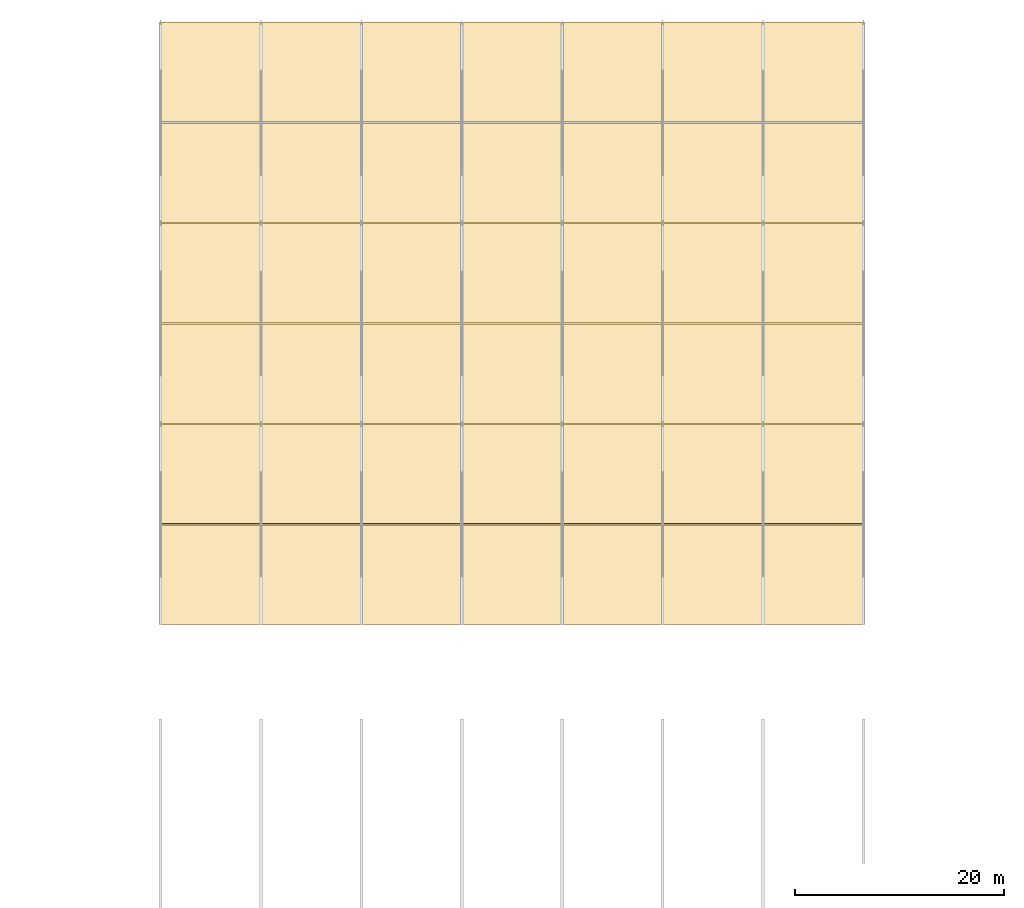
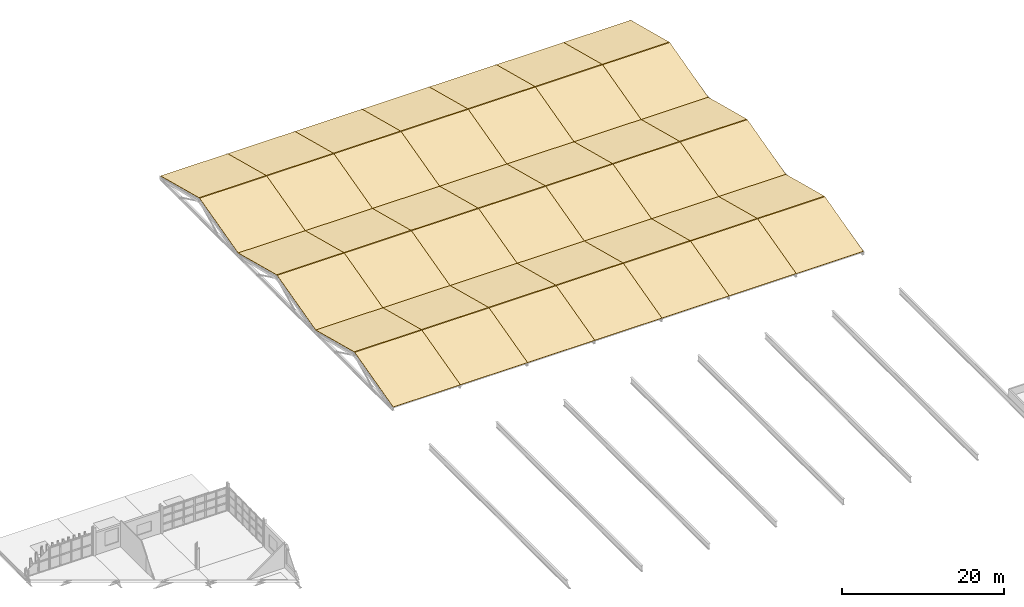
# One storey, part 52 of 52: 42 coverings, 1 element without a shape of its own.
"""IFC4 building model written with IfcOpenShell, lengths in metres."""

from ifc_helpers import new_model, si_unit, direction, frame, origin, place, context, subcontext, project, spatial, polyline, outline, extrude, material, layer, layer_set, type_object, element, aggregate, save


model = new_model("IFC4")

# Units and contexts
model_context = context("Model", 3, precision=1e-05, world=origin(), true_north=direction((0.0, 1.0)))
body_context = subcontext(model_context, "Body", "Model", "MODEL_VIEW")
ifc_project = project(units=[si_unit("LENGTHUNIT", "METRE"), si_unit("AREAUNIT", "SQUARE_METRE"), si_unit("VOLUMEUNIT", "CUBIC_METRE"), si_unit("PLANEANGLEUNIT", "RADIAN"), si_unit("MASSUNIT", "GRAM", prefix="KILO")], contexts=[model_context])

# Site, building, storey
site_placement = place(None, origin())
site = spatial("IfcSite", under=ifc_project, at=site_placement, CompositionType="ELEMENT")
building_placement = place(site_placement, origin())
building = spatial("IfcBuilding", under=site, at=building_placement, Name="Zarnetskaya Central Station", CompositionType="ELEMENT")
storey_placement = place(building_placement, frame((0.0, 0.0, 14.39990234375)))
storey = spatial("IfcBuildingStorey", under=building, at=storey_placement, Name="L03", CompositionType="ELEMENT", Elevation=14.39990234375)

# Roof, coverings
ifc_material_1 = material(Name="Steel S355", Category="steel")
roof_type = type_object("IfcRoofType", Name="RF-ASSY-SHED", PredefinedType="GABLE_ROOF", material=ifc_material_1)
roof_placement = place(storey_placement, origin())
roof = element("IfcRoof", 1, at=roof_placement, inside=storey, type_object=roof_type, Name="Train shed arched-gable throat roof", PredefinedType="GABLE_ROOF")
ifc_material_2 = material(Name="Standing-seam zinc roof cladding")
ifc_layer = layer(ifc_material_2, 0.06494140625, Name="Standing-seam zinc roof cladding")
ifc_layer_set = layer_set([ifc_layer], Name="Standing-seam zinc roof cladding")
covering_type = type_object("IfcCoveringType", Name="COV-ZINC-ROOF", PredefinedType="ROOFING", material=ifc_layer_set)
covering_1_placement = place(storey_placement, frame((57.60009765625, 67.199951171875, 0.065185546875), z_axis=(0.0, -0.251593020121, 0.967833122096), x_axis=(1.0, 0.0, 0.0)))
covering_1 = element("IfcCovering", 2, at=covering_1_placement, type_object=covering_type, Name="Train shed standing-seam zinc roofing SV1S-1", PredefinedType="ROOFING", context=body_context, shape_type="SweptSolid", body=[
    extrude(outline(polyline([(0.0, 0.0), (9.599853515625, 0.0), (9.599853515625, 9.857111566752572), (0.0, 9.857111566752572), (0.0, 0.0)])), origin(), (0.0, 0.0, -1.0), 0.06494140625),
])
covering_2_placement = place(storey_placement, frame((67.199951171875, 86.39990234375, 0.065185546875), z_axis=(0.0, 0.251599051262, 0.967831554251), x_axis=(-1.0, 0.0, 0.0)))
covering_2 = element("IfcCovering", 3, at=covering_2_placement, type_object=covering_type, Name="Train shed standing-seam zinc roofing SV1N-1", PredefinedType="ROOFING", context=body_context, shape_type="SweptSolid", body=[
    extrude(outline(polyline([(0.0, 0.0), (9.599853515625, 0.0), (9.599853515625, 9.856875279560635), (0.0, 9.856875279560635), (0.0, 0.0)])), origin(), (0.0, 0.0, -1.0), 0.06494140625),
])
covering_3_placement = place(storey_placement, frame((67.199951171875, 67.199951171875, 0.065185546875), z_axis=(0.0, -0.251593020121, 0.967833122096), x_axis=(1.0, 0.0, 0.0)))
covering_3 = element("IfcCovering", 4, at=covering_3_placement, type_object=covering_type, Name="Train shed standing-seam zinc roofing SV1S-2", PredefinedType="ROOFING", context=body_context, shape_type="SweptSolid", body=[
    extrude(outline(polyline([(0.0, 0.0), (9.60009765625, 0.0), (9.60009765625, 9.857111566752572), (0.0, 9.857111566752572), (0.0, 0.0)])), origin(), (0.0, 0.0, -1.0), 0.06494140625),
])
covering_4_placement = place(storey_placement, frame((76.800048828125, 86.39990234375, 0.065185546875), z_axis=(0.0, 0.251599051262, 0.967831554251), x_axis=(-1.0, 0.0, 0.0)))
covering_4 = element("IfcCovering", 5, at=covering_4_placement, type_object=covering_type, Name="Train shed standing-seam zinc roofing SV1N-2", PredefinedType="ROOFING", context=body_context, shape_type="SweptSolid", body=[
    extrude(outline(polyline([(0.0, 0.0), (9.60009765625, 0.0), (9.60009765625, 9.856875279560635), (0.0, 9.856875279560635), (0.0, 0.0)])), origin(), (0.0, 0.0, -1.0), 0.06494140625),
])
covering_5_placement = place(storey_placement, frame((76.800048828125, 67.199951171875, 0.065185546875), z_axis=(0.0, -0.251593020121, 0.967833122096), x_axis=(1.0, 0.0, 0.0)))
covering_5 = element("IfcCovering", 6, at=covering_5_placement, type_object=covering_type, Name="Train shed standing-seam zinc roofing SV1S-3", PredefinedType="ROOFING", context=body_context, shape_type="SweptSolid", body=[
    extrude(outline(polyline([(0.0, 0.0), (9.599853515625, 0.0), (9.599853515625, 9.857111566752572), (0.0, 9.857111566752572), (0.0, 0.0)])), origin(), (0.0, 0.0, -1.0), 0.06494140625),
])
covering_6_placement = place(storey_placement, frame((86.39990234375, 86.39990234375, 0.065185546875), z_axis=(0.0, 0.251599051262, 0.967831554251), x_axis=(-1.0, 0.0, 0.0)))
covering_6 = element("IfcCovering", 7, at=covering_6_placement, type_object=covering_type, Name="Train shed standing-seam zinc roofing SV1N-3", PredefinedType="ROOFING", context=body_context, shape_type="SweptSolid", body=[
    extrude(outline(polyline([(0.0, 0.0), (9.599853515625, 0.0), (9.599853515625, 9.856875279560635), (0.0, 9.856875279560635), (0.0, 0.0)])), origin(), (0.0, 0.0, -1.0), 0.06494140625),
])
covering_7_placement = place(storey_placement, frame((86.39990234375, 67.199951171875, 0.065185546875), z_axis=(0.0, -0.251593020121, 0.967833122096), x_axis=(1.0, 0.0, 0.0)))
covering_7 = element("IfcCovering", 8, at=covering_7_placement, type_object=covering_type, Name="Train shed standing-seam zinc roofing SV1S-4", PredefinedType="ROOFING", context=body_context, shape_type="SweptSolid", body=[
    extrude(outline(polyline([(0.0, 0.0), (9.60009765625, 0.0), (9.60009765625, 9.857111566752572), (0.0, 9.857111566752572), (0.0, 0.0)])), origin(), (0.0, 0.0, -1.0), 0.06494140625),
])
covering_8_placement = place(storey_placement, frame((96.0, 86.39990234375, 0.065185546875), z_axis=(0.0, 0.251599051262, 0.967831554251), x_axis=(-1.0, 0.0, 0.0)))
covering_8 = element("IfcCovering", 9, at=covering_8_placement, type_object=covering_type, Name="Train shed standing-seam zinc roofing SV1N-4", PredefinedType="ROOFING", context=body_context, shape_type="SweptSolid", body=[
    extrude(outline(polyline([(0.0, 0.0), (9.60009765625, 0.0), (9.60009765625, 9.856875279560635), (0.0, 9.856875279560635), (0.0, 0.0)])), origin(), (0.0, 0.0, -1.0), 0.06494140625),
])
covering_9_placement = place(storey_placement, frame((96.0, 67.199951171875, 0.065185546875), z_axis=(0.0, -0.251593020121, 0.967833122096), x_axis=(1.0, 0.0, 0.0)))
covering_9 = element("IfcCovering", 10, at=covering_9_placement, type_object=covering_type, Name="Train shed standing-seam zinc roofing SV1S-5", PredefinedType="ROOFING", context=body_context, shape_type="SweptSolid", body=[
    extrude(outline(polyline([(0.0, 0.0), (9.60009765625, 0.0), (9.60009765625, 9.857111566752572), (0.0, 9.857111566752572), (0.0, 0.0)])), origin(), (0.0, 0.0, -1.0), 0.06494140625),
])
covering_10_placement = place(storey_placement, frame((105.60009765625, 86.39990234375, 0.065185546875), z_axis=(0.0, 0.251599051262, 0.967831554251), x_axis=(-1.0, 0.0, 0.0)))
covering_10 = element("IfcCovering", 11, at=covering_10_placement, type_object=covering_type, Name="Train shed standing-seam zinc roofing SV1N-5", PredefinedType="ROOFING", context=body_context, shape_type="SweptSolid", body=[
    extrude(outline(polyline([(0.0, 0.0), (9.60009765625, 0.0), (9.60009765625, 9.856875279560635), (0.0, 9.856875279560635), (0.0, 0.0)])), origin(), (0.0, 0.0, -1.0), 0.06494140625),
])
covering_11_placement = place(storey_placement, frame((105.60009765625, 67.199951171875, 0.065185546875), z_axis=(0.0, -0.251593020121, 0.967833122096), x_axis=(1.0, 0.0, 0.0)))
covering_11 = element("IfcCovering", 12, at=covering_11_placement, type_object=covering_type, Name="Train shed standing-seam zinc roofing SV1S-6", PredefinedType="ROOFING", context=body_context, shape_type="SweptSolid", body=[
    extrude(outline(polyline([(0.0, 0.0), (9.599853515625, 0.0), (9.599853515625, 9.857111566752572), (0.0, 9.857111566752572), (0.0, 0.0)])), origin(), (0.0, 0.0, -1.0), 0.06494140625),
])
covering_12_placement = place(storey_placement, frame((115.199951171875, 86.39990234375, 0.065185546875), z_axis=(0.0, 0.251599051262, 0.967831554251), x_axis=(-1.0, 0.0, 0.0)))
covering_12 = element("IfcCovering", 13, at=covering_12_placement, type_object=covering_type, Name="Train shed standing-seam zinc roofing SV1N-6", PredefinedType="ROOFING", context=body_context, shape_type="SweptSolid", body=[
    extrude(outline(polyline([(0.0, 0.0), (9.599853515625, 0.0), (9.599853515625, 9.856875279560635), (0.0, 9.856875279560635), (0.0, 0.0)])), origin(), (0.0, 0.0, -1.0), 0.06494140625),
])
covering_13_placement = place(storey_placement, frame((115.199951171875, 67.199951171875, 0.065185546875), z_axis=(0.0, -0.251593020121, 0.967833122096), x_axis=(1.0, 0.0, 0.0)))
covering_13 = element("IfcCovering", 14, at=covering_13_placement, type_object=covering_type, Name="Train shed standing-seam zinc roofing SV1S-7", PredefinedType="ROOFING", context=body_context, shape_type="SweptSolid", body=[
    extrude(outline(polyline([(0.0, 0.0), (9.60009765625, 0.0), (9.60009765625, 9.857111566752572), (0.0, 9.857111566752572), (0.0, 0.0)])), origin(), (0.0, 0.0, -1.0), 0.06494140625),
])
covering_14_placement = place(storey_placement, frame((124.800048828125, 86.39990234375, 0.065185546875), z_axis=(0.0, 0.251599051262, 0.967831554251), x_axis=(-1.0, 0.0, 0.0)))
covering_14 = element("IfcCovering", 15, at=covering_14_placement, type_object=covering_type, Name="Train shed standing-seam zinc roofing SV1N-7", PredefinedType="ROOFING", context=body_context, shape_type="SweptSolid", body=[
    extrude(outline(polyline([(0.0, 0.0), (9.60009765625, 0.0), (9.60009765625, 9.856875279560635), (0.0, 9.856875279560635), (0.0, 0.0)])), origin(), (0.0, 0.0, -1.0), 0.06494140625),
])
covering_15_placement = place(storey_placement, frame((57.60009765625, 86.39990234375, 0.065185546875), z_axis=(0.0, -0.251593020121, 0.967833122096), x_axis=(1.0, 0.0, 0.0)))
covering_15 = element("IfcCovering", 16, at=covering_15_placement, type_object=covering_type, Name="Train shed standing-seam zinc roofing SV2S-1", PredefinedType="ROOFING", context=body_context, shape_type="SweptSolid", body=[
    extrude(outline(polyline([(0.0, 0.0), (9.599853515625, 0.0), (9.599853515625, 9.857111566752572), (0.0, 9.857111566752572), (0.0, 0.0)])), origin(), (0.0, 0.0, -1.0), 0.06494140625),
])
covering_16_placement = place(storey_placement, frame((67.199951171875, 105.60009765625, 0.065185546875), z_axis=(0.0, 0.251593020121, 0.967833122096), x_axis=(-1.0, 0.0, 0.0)))
covering_16 = element("IfcCovering", 17, at=covering_16_placement, type_object=covering_type, Name="Train shed standing-seam zinc roofing SV2N-1", PredefinedType="ROOFING", context=body_context, shape_type="SweptSolid", body=[
    extrude(outline(polyline([(0.0, 0.0), (9.599853515625, 0.0), (9.599853515625, 9.857111566752572), (0.0, 9.857111566752572), (0.0, 0.0)])), origin(), (0.0, 0.0, -1.0), 0.06494140625),
])
covering_17_placement = place(storey_placement, frame((67.199951171875, 86.39990234375, 0.065185546875), z_axis=(0.0, -0.251593020121, 0.967833122096), x_axis=(1.0, 0.0, 0.0)))
covering_17 = element("IfcCovering", 18, at=covering_17_placement, type_object=covering_type, Name="Train shed standing-seam zinc roofing SV2S-2", PredefinedType="ROOFING", context=body_context, shape_type="SweptSolid", body=[
    extrude(outline(polyline([(0.0, 0.0), (9.60009765625, 0.0), (9.60009765625, 9.857111566752572), (0.0, 9.857111566752572), (0.0, 0.0)])), origin(), (0.0, 0.0, -1.0), 0.06494140625),
])
covering_18_placement = place(storey_placement, frame((76.800048828125, 105.60009765625, 0.065185546875), z_axis=(0.0, 0.251593020121, 0.967833122096), x_axis=(-1.0, 0.0, 0.0)))
covering_18 = element("IfcCovering", 19, at=covering_18_placement, type_object=covering_type, Name="Train shed standing-seam zinc roofing SV2N-2", PredefinedType="ROOFING", context=body_context, shape_type="SweptSolid", body=[
    extrude(outline(polyline([(0.0, 0.0), (9.60009765625, 0.0), (9.60009765625, 9.857111566752572), (0.0, 9.857111566752572), (0.0, 0.0)])), origin(), (0.0, 0.0, -1.0), 0.06494140625),
])
covering_19_placement = place(storey_placement, frame((76.800048828125, 86.39990234375, 0.065185546875), z_axis=(0.0, -0.251593020121, 0.967833122096), x_axis=(1.0, 0.0, 0.0)))
covering_19 = element("IfcCovering", 20, at=covering_19_placement, type_object=covering_type, Name="Train shed standing-seam zinc roofing SV2S-3", PredefinedType="ROOFING", context=body_context, shape_type="SweptSolid", body=[
    extrude(outline(polyline([(0.0, 0.0), (9.599853515625, 0.0), (9.599853515625, 9.857111566752572), (0.0, 9.857111566752572), (0.0, 0.0)])), origin(), (0.0, 0.0, -1.0), 0.06494140625),
])
covering_20_placement = place(storey_placement, frame((86.39990234375, 105.60009765625, 0.065185546875), z_axis=(0.0, 0.251593020121, 0.967833122096), x_axis=(-1.0, 0.0, 0.0)))
covering_20 = element("IfcCovering", 21, at=covering_20_placement, type_object=covering_type, Name="Train shed standing-seam zinc roofing SV2N-3", PredefinedType="ROOFING", context=body_context, shape_type="SweptSolid", body=[
    extrude(outline(polyline([(0.0, 0.0), (9.599853515625, 0.0), (9.599853515625, 9.857111566752572), (0.0, 9.857111566752572), (0.0, 0.0)])), origin(), (0.0, 0.0, -1.0), 0.06494140625),
])
covering_21_placement = place(storey_placement, frame((86.39990234375, 86.39990234375, 0.065185546875), z_axis=(0.0, -0.251593020121, 0.967833122096), x_axis=(1.0, 0.0, 0.0)))
covering_21 = element("IfcCovering", 22, at=covering_21_placement, type_object=covering_type, Name="Train shed standing-seam zinc roofing SV2S-4", PredefinedType="ROOFING", context=body_context, shape_type="SweptSolid", body=[
    extrude(outline(polyline([(0.0, 0.0), (9.60009765625, 0.0), (9.60009765625, 9.857111566752572), (0.0, 9.857111566752572), (0.0, 0.0)])), origin(), (0.0, 0.0, -1.0), 0.06494140625),
])
covering_22_placement = place(storey_placement, frame((96.0, 105.60009765625, 0.065185546875), z_axis=(0.0, 0.251593020121, 0.967833122096), x_axis=(-1.0, 0.0, 0.0)))
covering_22 = element("IfcCovering", 23, at=covering_22_placement, type_object=covering_type, Name="Train shed standing-seam zinc roofing SV2N-4", PredefinedType="ROOFING", context=body_context, shape_type="SweptSolid", body=[
    extrude(outline(polyline([(0.0, 0.0), (9.60009765625, 0.0), (9.60009765625, 9.857111566752572), (0.0, 9.857111566752572), (0.0, 0.0)])), origin(), (0.0, 0.0, -1.0), 0.06494140625),
])
covering_23_placement = place(storey_placement, frame((96.0, 86.39990234375, 0.065185546875), z_axis=(0.0, -0.251593020121, 0.967833122096), x_axis=(1.0, 0.0, 0.0)))
covering_23 = element("IfcCovering", 24, at=covering_23_placement, type_object=covering_type, Name="Train shed standing-seam zinc roofing SV2S-5", PredefinedType="ROOFING", context=body_context, shape_type="SweptSolid", body=[
    extrude(outline(polyline([(0.0, 0.0), (9.60009765625, 0.0), (9.60009765625, 9.857111566752572), (0.0, 9.857111566752572), (0.0, 0.0)])), origin(), (0.0, 0.0, -1.0), 0.06494140625),
])
covering_24_placement = place(storey_placement, frame((105.60009765625, 105.60009765625, 0.065185546875), z_axis=(0.0, 0.251593020121, 0.967833122096), x_axis=(-1.0, 0.0, 0.0)))
covering_24 = element("IfcCovering", 25, at=covering_24_placement, type_object=covering_type, Name="Train shed standing-seam zinc roofing SV2N-5", PredefinedType="ROOFING", context=body_context, shape_type="SweptSolid", body=[
    extrude(outline(polyline([(0.0, 0.0), (9.60009765625, 0.0), (9.60009765625, 9.857111566752572), (0.0, 9.857111566752572), (0.0, 0.0)])), origin(), (0.0, 0.0, -1.0), 0.06494140625),
])
covering_25_placement = place(storey_placement, frame((105.60009765625, 86.39990234375, 0.065185546875), z_axis=(0.0, -0.251593020121, 0.967833122096), x_axis=(1.0, 0.0, 0.0)))
covering_25 = element("IfcCovering", 26, at=covering_25_placement, type_object=covering_type, Name="Train shed standing-seam zinc roofing SV2S-6", PredefinedType="ROOFING", context=body_context, shape_type="SweptSolid", body=[
    extrude(outline(polyline([(0.0, 0.0), (9.599853515625, 0.0), (9.599853515625, 9.857111566752572), (0.0, 9.857111566752572), (0.0, 0.0)])), origin(), (0.0, 0.0, -1.0), 0.06494140625),
])
covering_26_placement = place(storey_placement, frame((115.199951171875, 105.60009765625, 0.065185546875), z_axis=(0.0, 0.251593020121, 0.967833122096), x_axis=(-1.0, 0.0, 0.0)))
covering_26 = element("IfcCovering", 27, at=covering_26_placement, type_object=covering_type, Name="Train shed standing-seam zinc roofing SV2N-6", PredefinedType="ROOFING", context=body_context, shape_type="SweptSolid", body=[
    extrude(outline(polyline([(0.0, 0.0), (9.599853515625, 0.0), (9.599853515625, 9.857111566752572), (0.0, 9.857111566752572), (0.0, 0.0)])), origin(), (0.0, 0.0, -1.0), 0.06494140625),
])
covering_27_placement = place(storey_placement, frame((115.199951171875, 86.39990234375, 0.065185546875), z_axis=(0.0, -0.251593020121, 0.967833122096), x_axis=(1.0, 0.0, 0.0)))
covering_27 = element("IfcCovering", 28, at=covering_27_placement, type_object=covering_type, Name="Train shed standing-seam zinc roofing SV2S-7", PredefinedType="ROOFING", context=body_context, shape_type="SweptSolid", body=[
    extrude(outline(polyline([(0.0, 0.0), (9.60009765625, 0.0), (9.60009765625, 9.857111566752572), (0.0, 9.857111566752572), (0.0, 0.0)])), origin(), (0.0, 0.0, -1.0), 0.06494140625),
])
covering_28_placement = place(storey_placement, frame((124.800048828125, 105.60009765625, 0.065185546875), z_axis=(0.0, 0.251593020121, 0.967833122096), x_axis=(-1.0, 0.0, 0.0)))
covering_28 = element("IfcCovering", 29, at=covering_28_placement, type_object=covering_type, Name="Train shed standing-seam zinc roofing SV2N-7", PredefinedType="ROOFING", context=body_context, shape_type="SweptSolid", body=[
    extrude(outline(polyline([(0.0, 0.0), (9.60009765625, 0.0), (9.60009765625, 9.857111566752572), (0.0, 9.857111566752572), (0.0, 0.0)])), origin(), (0.0, 0.0, -1.0), 0.06494140625),
])
covering_29_placement = place(storey_placement, frame((57.60009765625, 105.60009765625, 0.065185546875), z_axis=(0.0, -0.251599051262, 0.967831554251), x_axis=(1.0, 0.0, 0.0)))
covering_29 = element("IfcCovering", 30, at=covering_29_placement, type_object=covering_type, Name="Train shed standing-seam zinc roofing SV3S-1", PredefinedType="ROOFING", context=body_context, shape_type="SweptSolid", body=[
    extrude(outline(polyline([(0.0, 0.0), (9.599853515625, 0.0), (9.599853515625, 9.856875279560635), (0.0, 9.856875279560635), (0.0, 0.0)])), origin(), (0.0, 0.0, -1.0), 0.06494140625),
])
covering_30_placement = place(storey_placement, frame((67.199951171875, 124.800048828125, 0.065185546875), z_axis=(0.0, 0.251593020121, 0.967833122096), x_axis=(-1.0, 0.0, 0.0)))
covering_30 = element("IfcCovering", 31, at=covering_30_placement, type_object=covering_type, Name="Train shed standing-seam zinc roofing SV3N-1", PredefinedType="ROOFING", context=body_context, shape_type="SweptSolid", body=[
    extrude(outline(polyline([(0.0, 0.0), (9.599853515625, 0.0), (9.599853515625, 9.857111566752572), (0.0, 9.857111566752572), (0.0, 0.0)])), origin(), (0.0, 0.0, -1.0), 0.06494140625),
])
covering_31_placement = place(storey_placement, frame((67.199951171875, 105.60009765625, 0.065185546875), z_axis=(0.0, -0.251599051262, 0.967831554251), x_axis=(1.0, 0.0, 0.0)))
covering_31 = element("IfcCovering", 32, at=covering_31_placement, type_object=covering_type, Name="Train shed standing-seam zinc roofing SV3S-2", PredefinedType="ROOFING", context=body_context, shape_type="SweptSolid", body=[
    extrude(outline(polyline([(0.0, 0.0), (9.60009765625, 0.0), (9.60009765625, 9.856875279560635), (0.0, 9.856875279560635), (0.0, 0.0)])), origin(), (0.0, 0.0, -1.0), 0.06494140625),
])
covering_32_placement = place(storey_placement, frame((76.800048828125, 124.800048828125, 0.065185546875), z_axis=(0.0, 0.251593020121, 0.967833122096), x_axis=(-1.0, 0.0, 0.0)))
covering_32 = element("IfcCovering", 33, at=covering_32_placement, type_object=covering_type, Name="Train shed standing-seam zinc roofing SV3N-2", PredefinedType="ROOFING", context=body_context, shape_type="SweptSolid", body=[
    extrude(outline(polyline([(0.0, 0.0), (9.60009765625, 0.0), (9.60009765625, 9.857111566752572), (0.0, 9.857111566752572), (0.0, 0.0)])), origin(), (0.0, 0.0, -1.0), 0.06494140625),
])
covering_33_placement = place(storey_placement, frame((76.800048828125, 105.60009765625, 0.065185546875), z_axis=(0.0, -0.251599051262, 0.967831554251), x_axis=(1.0, 0.0, 0.0)))
covering_33 = element("IfcCovering", 34, at=covering_33_placement, type_object=covering_type, Name="Train shed standing-seam zinc roofing SV3S-3", PredefinedType="ROOFING", context=body_context, shape_type="SweptSolid", body=[
    extrude(outline(polyline([(0.0, 0.0), (9.599853515625, 0.0), (9.599853515625, 9.856875279560635), (0.0, 9.856875279560635), (0.0, 0.0)])), origin(), (0.0, 0.0, -1.0), 0.06494140625),
])
covering_34_placement = place(storey_placement, frame((86.39990234375, 124.800048828125, 0.065185546875), z_axis=(0.0, 0.251593020121, 0.967833122096), x_axis=(-1.0, 0.0, 0.0)))
covering_34 = element("IfcCovering", 35, at=covering_34_placement, type_object=covering_type, Name="Train shed standing-seam zinc roofing SV3N-3", PredefinedType="ROOFING", context=body_context, shape_type="SweptSolid", body=[
    extrude(outline(polyline([(0.0, 0.0), (9.599853515625, 0.0), (9.599853515625, 9.857111566752572), (0.0, 9.857111566752572), (0.0, 0.0)])), origin(), (0.0, 0.0, -1.0), 0.06494140625),
])
covering_35_placement = place(storey_placement, frame((86.39990234375, 105.60009765625, 0.065185546875), z_axis=(0.0, -0.251599051262, 0.967831554251), x_axis=(1.0, 0.0, 0.0)))
covering_35 = element("IfcCovering", 36, at=covering_35_placement, type_object=covering_type, Name="Train shed standing-seam zinc roofing SV3S-4", PredefinedType="ROOFING", context=body_context, shape_type="SweptSolid", body=[
    extrude(outline(polyline([(0.0, 0.0), (9.60009765625, 0.0), (9.60009765625, 9.856875279560635), (0.0, 9.856875279560635), (0.0, 0.0)])), origin(), (0.0, 0.0, -1.0), 0.06494140625),
])
covering_36_placement = place(storey_placement, frame((96.0, 124.800048828125, 0.065185546875), z_axis=(0.0, 0.251593020121, 0.967833122096), x_axis=(-1.0, 0.0, 0.0)))
covering_36 = element("IfcCovering", 37, at=covering_36_placement, type_object=covering_type, Name="Train shed standing-seam zinc roofing SV3N-4", PredefinedType="ROOFING", context=body_context, shape_type="SweptSolid", body=[
    extrude(outline(polyline([(0.0, 0.0), (9.60009765625, 0.0), (9.60009765625, 9.857111566752572), (0.0, 9.857111566752572), (0.0, 0.0)])), origin(), (0.0, 0.0, -1.0), 0.06494140625),
])
covering_37_placement = place(storey_placement, frame((96.0, 105.60009765625, 0.065185546875), z_axis=(0.0, -0.251599051262, 0.967831554251), x_axis=(1.0, 0.0, 0.0)))
covering_37 = element("IfcCovering", 38, at=covering_37_placement, type_object=covering_type, Name="Train shed standing-seam zinc roofing SV3S-5", PredefinedType="ROOFING", context=body_context, shape_type="SweptSolid", body=[
    extrude(outline(polyline([(0.0, 0.0), (9.60009765625, 0.0), (9.60009765625, 9.856875279560635), (0.0, 9.856875279560635), (0.0, 0.0)])), origin(), (0.0, 0.0, -1.0), 0.06494140625),
])
covering_38_placement = place(storey_placement, frame((105.60009765625, 124.800048828125, 0.065185546875), z_axis=(0.0, 0.251593020121, 0.967833122096), x_axis=(-1.0, 0.0, 0.0)))
covering_38 = element("IfcCovering", 39, at=covering_38_placement, type_object=covering_type, Name="Train shed standing-seam zinc roofing SV3N-5", PredefinedType="ROOFING", context=body_context, shape_type="SweptSolid", body=[
    extrude(outline(polyline([(0.0, 0.0), (9.60009765625, 0.0), (9.60009765625, 9.857111566752572), (0.0, 9.857111566752572), (0.0, 0.0)])), origin(), (0.0, 0.0, -1.0), 0.06494140625),
])
covering_39_placement = place(storey_placement, frame((105.60009765625, 105.60009765625, 0.065185546875), z_axis=(0.0, -0.251599051262, 0.967831554251), x_axis=(1.0, 0.0, 0.0)))
covering_39 = element("IfcCovering", 40, at=covering_39_placement, type_object=covering_type, Name="Train shed standing-seam zinc roofing SV3S-6", PredefinedType="ROOFING", context=body_context, shape_type="SweptSolid", body=[
    extrude(outline(polyline([(0.0, 0.0), (9.599853515625, 0.0), (9.599853515625, 9.856875279560635), (0.0, 9.856875279560635), (0.0, 0.0)])), origin(), (0.0, 0.0, -1.0), 0.06494140625),
])
covering_40_placement = place(storey_placement, frame((115.199951171875, 124.800048828125, 0.065185546875), z_axis=(0.0, 0.251593020121, 0.967833122096), x_axis=(-1.0, 0.0, 0.0)))
covering_40 = element("IfcCovering", 41, at=covering_40_placement, type_object=covering_type, Name="Train shed standing-seam zinc roofing SV3N-6", PredefinedType="ROOFING", context=body_context, shape_type="SweptSolid", body=[
    extrude(outline(polyline([(0.0, 0.0), (9.599853515625, 0.0), (9.599853515625, 9.857111566752572), (0.0, 9.857111566752572), (0.0, 0.0)])), origin(), (0.0, 0.0, -1.0), 0.06494140625),
])
covering_41_placement = place(storey_placement, frame((115.199951171875, 105.60009765625, 0.065185546875), z_axis=(0.0, -0.251599051262, 0.967831554251), x_axis=(1.0, 0.0, 0.0)))
covering_41 = element("IfcCovering", 42, at=covering_41_placement, type_object=covering_type, Name="Train shed standing-seam zinc roofing SV3S-7", PredefinedType="ROOFING", context=body_context, shape_type="SweptSolid", body=[
    extrude(outline(polyline([(0.0, 0.0), (9.60009765625, 0.0), (9.60009765625, 9.856875279560635), (0.0, 9.856875279560635), (0.0, 0.0)])), origin(), (0.0, 0.0, -1.0), 0.06494140625),
])
covering_42_placement = place(storey_placement, frame((124.800048828125, 124.800048828125, 0.065185546875), z_axis=(0.0, 0.251593020121, 0.967833122096), x_axis=(-1.0, 0.0, 0.0)))
covering_42 = element("IfcCovering", 43, at=covering_42_placement, type_object=covering_type, Name="Train shed standing-seam zinc roofing SV3N-7", PredefinedType="ROOFING", context=body_context, shape_type="SweptSolid", body=[
    extrude(outline(polyline([(0.0, 0.0), (9.60009765625, 0.0), (9.60009765625, 9.857111566752572), (0.0, 9.857111566752572), (0.0, 0.0)])), origin(), (0.0, 0.0, -1.0), 0.06494140625),
])
aggregate(roof, [covering_1, covering_2, covering_3, covering_4, covering_5, covering_6, covering_7, covering_8, covering_9, covering_10, covering_11, covering_12, covering_13, covering_14, covering_15, covering_16, covering_17, covering_18, covering_19, covering_20, covering_21, covering_22, covering_23, covering_24, covering_25, covering_26, covering_27, covering_28, covering_29, covering_30, covering_31, covering_32, covering_33, covering_34, covering_35, covering_36, covering_37, covering_38, covering_39, covering_40, covering_41, covering_42])

save(model, "model.ifc")
